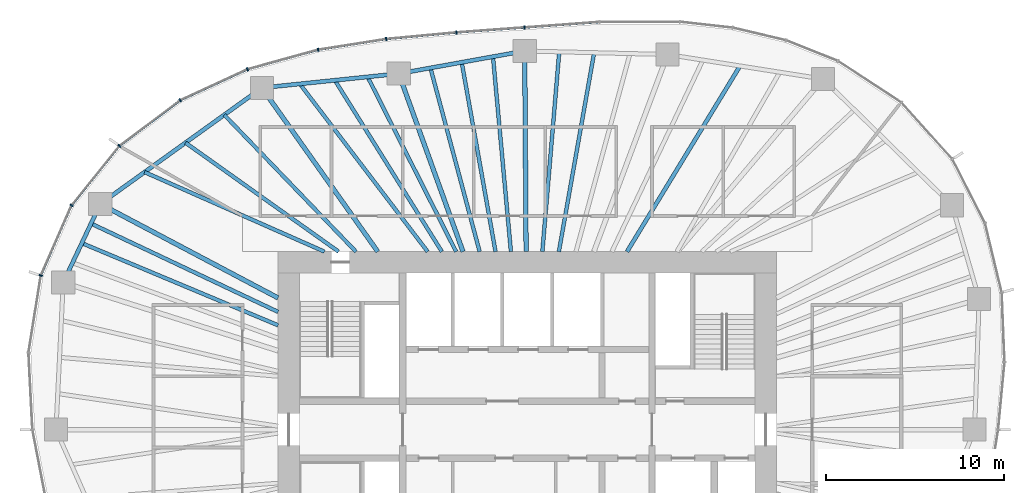
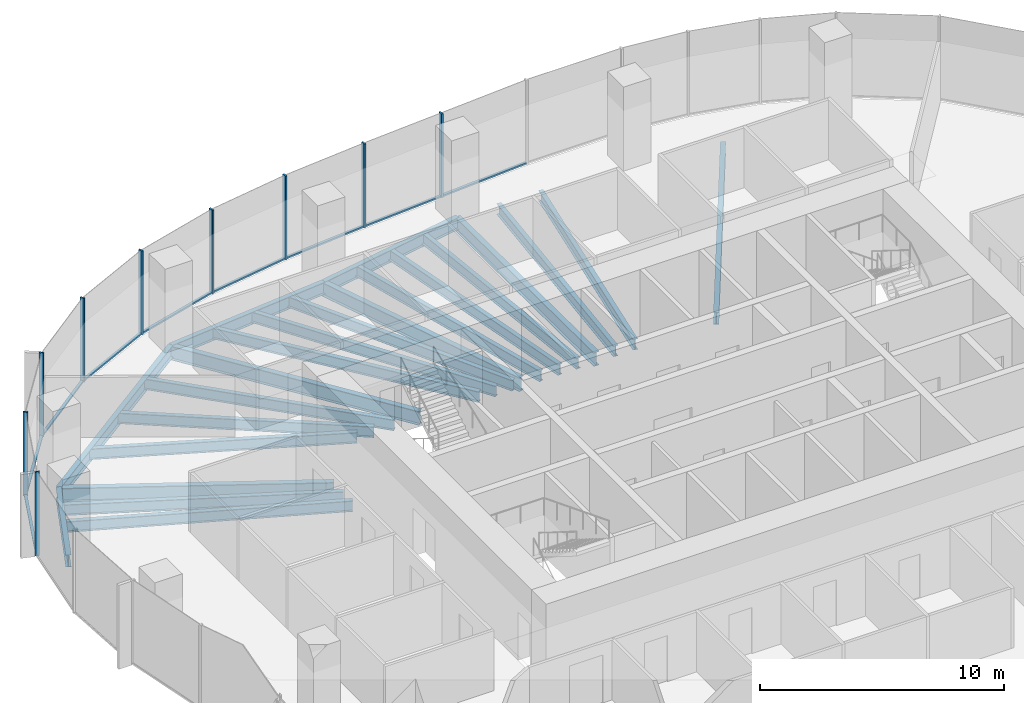
# One storey, part 5 of 12: 22 beams, 18 members, 6 elements without a shape of their own.
"""IFC4 building model written with IfcOpenShell, lengths in metres."""

from ifc_helpers import new_model, si_unit, direction, frame, origin, origin_2d, place, context, subcontext, project, spatial, rectangle, i_section, extrude, material, material_profile, profile_set, type_object, element, aggregate, save


model = new_model("IFC4")

# Units and contexts
model_context = context("Model", 3, precision=1e-05, world=origin(), true_north=direction((0.0, 1.0)))
body_context = subcontext(model_context, "Body", "Model", "MODEL_VIEW")
ifc_project = project(units=[si_unit("LENGTHUNIT", "METRE"), si_unit("AREAUNIT", "SQUARE_METRE"), si_unit("VOLUMEUNIT", "CUBIC_METRE"), si_unit("PLANEANGLEUNIT", "RADIAN"), si_unit("MASSUNIT", "GRAM", prefix="KILO")], contexts=[model_context])

# Site, building, storey
site_placement = place(None, origin())
site = spatial("IfcSite", under=ifc_project, at=site_placement, CompositionType="ELEMENT")
building_placement = place(site_placement, origin())
building = spatial("IfcBuilding", under=site, at=building_placement, Name="Ghaith Harvest Tower", CompositionType="ELEMENT")
storey_placement = place(building_placement, frame((0.0, 0.0, 203.199951171875)))
storey = spatial("IfcBuildingStorey", under=building, at=storey_placement, Name="L44", CompositionType="ELEMENT", Elevation=203.199951171875)

# Curtain wall, members
ifc_material_1 = material(Name="Black anodised aluminium and fritted glass", Category="aluminium")
curtain_wall_type = type_object("IfcCurtainWallType", Name="CW-H CURTAIN WALL", PredefinedType="NOTDEFINED", material=ifc_material_1)
curtain_wall_1_placement = place(storey_placement, origin())
curtain_wall_1 = element("IfcCurtainWall", 1, at=curtain_wall_1_placement, inside=storey, type_object=curtain_wall_type, Name="Curtain wall CW-H bay 06 L44", PredefinedType="NOTDEFINED")
ifc_material_2 = material(Name="Aluminium, black anodised", Category="aluminium")
ifc_material_profile_1 = material_profile(ifc_material_2, rectangle(XDim=0.080078125, YDim=0.199951171875, at=origin_2d()), Name="CW-H MULLION 80x200")
ifc_profile_set_1 = profile_set([ifc_material_profile_1], Name="Aluminium, black anodised")
member_type_1 = type_object("IfcMemberType", Name="CW-H MULLION 80x200", PredefinedType="MULLION", material=ifc_profile_set_1)
member_1_placement = place(storey_placement, frame((-0.154541015625, 22.590576171875, 0.0), z_axis=(0.0, 0.0, 1.0), x_axis=(-0.997329249665, -0.073036756239, 0.0)))
member_1 = element("IfcMember", 2, at=member_1_placement, type_object=member_type_1, Name="CW-H mullion 1 bay 06 L44", PredefinedType="MULLION", context=body_context, shape_type="SweptSolid", body=[
    extrude(rectangle(XDim=0.080078125, YDim=0.199951171875, at=origin_2d()), origin(), (0.0, 0.0, 1.0), 4.199951171875),
])
member_2_placement = place(storey_placement, frame((-3.984375, 22.310302734375, 0.0), z_axis=(0.0, 0.0, 1.0), x_axis=(-0.996522526822, -0.083323787336, 0.0)))
member_2 = element("IfcMember", 3, at=member_2_placement, type_object=member_type_1, Name="CW-H mullion 2 bay 06 L44", PredefinedType="MULLION", context=body_context, shape_type="SweptSolid", body=[
    extrude(rectangle(XDim=0.080078125, YDim=0.199951171875, at=origin_2d()), origin(), (0.0, 0.0, 1.0), 4.199951171875),
])

curtain_wall_2_placement = place(storey_placement, origin())
curtain_wall_2 = element("IfcCurtainWall", 4, at=curtain_wall_2_placement, inside=storey, type_object=curtain_wall_type, Name="Curtain wall CW-H bay 07 L44", PredefinedType="NOTDEFINED")
member_3_placement = place(storey_placement, frame((-7.924560546875, 21.94091796875, 0.0), z_axis=(0.0, 0.0, 1.0), x_axis=(-0.992235485325, -0.124373396119, 0.0)))
member_3 = element("IfcMember", 5, at=member_3_placement, type_object=member_type_1, Name="CW-H mullion 1 bay 07 L44", PredefinedType="MULLION", context=body_context, shape_type="SweptSolid", body=[
    extrude(rectangle(XDim=0.080078125, YDim=0.199951171875, at=origin_2d()), origin(), (0.0, 0.0, 1.0), 4.199951171875),
])
member_4_placement = place(storey_placement, frame((-11.75244140625, 21.336669921875, 0.0), z_axis=(0.0, 0.0, 1.0), x_axis=(-0.977086484172, -0.212842670646, 0.0)))
member_4 = element("IfcMember", 6, at=member_4_placement, type_object=member_type_1, Name="CW-H mullion 2 bay 07 L44", PredefinedType="MULLION", context=body_context, shape_type="SweptSolid", body=[
    extrude(rectangle(XDim=0.080078125, YDim=0.199951171875, at=origin_2d()), origin(), (0.0, 0.0, 1.0), 4.199951171875),
])

curtain_wall_3_placement = place(storey_placement, origin())
curtain_wall_3 = element("IfcCurtainWall", 7, at=curtain_wall_3_placement, inside=storey, type_object=curtain_wall_type, Name="Curtain wall CW-H bay 08 L44", PredefinedType="NOTDEFINED")
member_5_placement = place(storey_placement, frame((-15.720947265625, 20.242431640625, 0.0), z_axis=(0.0, 0.0, 1.0), x_axis=(-0.938930986476, -0.344105510906, 0.0)))
member_5 = element("IfcMember", 8, at=member_5_placement, type_object=member_type_1, Name="CW-H mullion 1 bay 08 L44", PredefinedType="MULLION", context=body_context, shape_type="SweptSolid", body=[
    extrude(rectangle(XDim=0.080078125, YDim=0.199951171875, at=origin_2d()), origin(), (0.0, 0.0, 1.0), 4.199951171875),
])
member_6_placement = place(storey_placement, frame((-19.4951171875, 18.4990234375, 0.0), z_axis=(0.0, 0.0, 1.0), x_axis=(-0.857998754004, -0.513651767376, 0.0)))
member_6 = element("IfcMember", 9, at=member_6_placement, type_object=member_type_1, Name="CW-H mullion 2 bay 08 L44", PredefinedType="MULLION", context=body_context, shape_type="SweptSolid", body=[
    extrude(rectangle(XDim=0.080078125, YDim=0.199951171875, at=origin_2d()), origin(), (0.0, 0.0, 1.0), 4.199951171875),
])

curtain_wall_4_placement = place(storey_placement, origin())
curtain_wall_4 = element("IfcCurtainWall", 10, at=curtain_wall_4_placement, inside=storey, type_object=curtain_wall_type, Name="Curtain wall CW-H bay 09 L44", PredefinedType="NOTDEFINED")
member_7_placement = place(storey_placement, frame((-22.908203125, 15.939697265625, 0.0), z_axis=(0.0, 0.0, 1.0), x_axis=(-0.719146135082, -0.694858860774, 0.0)))
member_7 = element("IfcMember", 11, at=member_7_placement, type_object=member_type_1, Name="CW-H mullion 1 bay 09 L44", PredefinedType="MULLION", context=body_context, shape_type="SweptSolid", body=[
    extrude(rectangle(XDim=0.080078125, YDim=0.199951171875, at=origin_2d()), origin(), (0.0, 0.0, 1.0), 4.199951171875),
])
member_8_placement = place(storey_placement, frame((-25.599609375, 12.6005859375, 0.0), z_axis=(0.0, 0.0, 1.0), x_axis=(-0.518769201232, -0.854914332464, 0.0)))
member_8 = element("IfcMember", 12, at=member_8_placement, type_object=member_type_1, Name="CW-H mullion 2 bay 09 L44", PredefinedType="MULLION", context=body_context, shape_type="SweptSolid", body=[
    extrude(rectangle(XDim=0.080078125, YDim=0.199951171875, at=origin_2d()), origin(), (0.0, 0.0, 1.0), 4.199951171875),
])

# Curtain wall, member
curtain_wall_5_placement = place(storey_placement, origin())
curtain_wall_5 = element("IfcCurtainWall", 13, at=curtain_wall_5_placement, inside=storey, type_object=curtain_wall_type, Name="Curtain wall CW-H bay 10 L44", PredefinedType="NOTDEFINED")
member_9_placement = place(storey_placement, frame((-27.32568359375, 8.659912109375, 0.0), z_axis=(0.0, 0.0, 1.0), x_axis=(-0.280520268431, -0.959848102045, 0.0)))
member_9 = element("IfcMember", 14, at=member_9_placement, type_object=member_type_1, Name="CW-H mullion 1 bay 10 L44", PredefinedType="MULLION", context=body_context, shape_type="SweptSolid", body=[
    extrude(rectangle(XDim=0.080078125, YDim=0.199951171875, at=origin_2d()), origin(), (0.0, 0.0, 1.0), 4.199951171875),
])
aggregate(curtain_wall_5, [member_9])

curtain_wall_6_placement = place(storey_placement, origin())
curtain_wall_6 = element("IfcCurtainWall", 15, at=curtain_wall_6_placement, inside=storey, type_object=curtain_wall_type, Name="Curtain wall CW-H bay 05 L44", PredefinedType="NOTDEFINED")
ifc_material_3 = material(Name="Aluminium, black anodised", Category="aluminium")
ifc_material_profile_2 = material_profile(ifc_material_3, rectangle(XDim=0.1298828125, YDim=0.080078125, at=origin_2d()), Name="CW-H TRANSOM 130x80")
ifc_profile_set_2 = profile_set([ifc_material_profile_2], Name="Aluminium, black anodised")
member_type_2 = type_object("IfcMemberType", Name="CW-H TRANSOM 130x80", PredefinedType="USERDEFINED", material=ifc_profile_set_2)
member_10_placement = place(storey_placement, frame((4.01953125, 22.896484375, 0.0400390625), z_axis=(-0.997325457985, -0.07308851384, 0.0), x_axis=(0.07308851384, -0.997325457985, 0.0)))
member_10 = element("IfcMember", 16, at=member_10_placement, type_object=member_type_2, Name="CW-H transom 2 bay 05 L44", ObjectType="TRANSOM", PredefinedType="USERDEFINED", context=body_context, shape_type="SweptSolid", body=[
    extrude(rectangle(XDim=0.1298828125, YDim=0.080078125, at=origin_2d()), origin(), (0.0, 0.0, 1.0), 4.145263671875),
])
aggregate(curtain_wall_6, [member_10])

# Member
member_11_placement = place(storey_placement, frame((-0.194580078125, 22.587646484375, 0.0400390625), z_axis=(-0.997332916649, -0.072986665689, 0.0), x_axis=(0.072986665689, -0.997332916649, 0.0)))
member_11 = element("IfcMember", 17, at=member_11_placement, type_object=member_type_2, Name="CW-H transom 1 bay 06 L44", ObjectType="TRANSOM", PredefinedType="USERDEFINED", context=body_context, shape_type="SweptSolid", body=[
    extrude(rectangle(XDim=0.1298828125, YDim=0.080078125, at=origin_2d()), origin(), (0.0, 0.0, 1.0), 3.759765625),
])

member_12_placement = place(storey_placement, frame((-4.024169921875, 22.306640625, 0.0400390625), z_axis=(-0.995631116984, -0.093373866217, 0.0), x_axis=(0.093373866217, -0.995631116984, 0.0)))
member_12 = element("IfcMember", 18, at=member_12_placement, type_object=member_type_2, Name="CW-H transom 2 bay 06 L44", ObjectType="TRANSOM", PredefinedType="USERDEFINED", context=body_context, shape_type="SweptSolid", body=[
    extrude(rectangle(XDim=0.1298828125, YDim=0.080078125, at=origin_2d()), origin(), (0.0, 0.0, 1.0), 3.87744140625),
])

aggregate(curtain_wall_1, [member_1, member_11, member_2, member_12])

member_13_placement = place(storey_placement, frame((-7.964111328125, 21.9345703125, 0.0400390625), z_axis=(-0.98776765914, -0.155932843097, 0.0), x_axis=(0.155932843097, -0.98776765914, 0.0)))
member_13 = element("IfcMember", 19, at=member_13_placement, type_object=member_type_2, Name="CW-H transom 1 bay 07 L44", ObjectType="TRANSOM", PredefinedType="USERDEFINED", context=body_context, shape_type="SweptSolid", body=[
    extrude(rectangle(XDim=0.1298828125, YDim=0.080078125, at=origin_2d()), origin(), (0.0, 0.0, 1.0), 3.795166015625),
])

member_14_placement = place(storey_placement, frame((-11.791015625, 21.325927734375, 0.0400390625), z_axis=(-0.964038584245, -0.265762315024, 0.0), x_axis=(0.265762315024, -0.964038584245, 0.0)))
member_14 = element("IfcMember", 20, at=member_14_placement, type_object=member_type_2, Name="CW-H transom 2 bay 07 L44", ObjectType="TRANSOM", PredefinedType="USERDEFINED", context=body_context, shape_type="SweptSolid", body=[
    extrude(rectangle(XDim=0.1298828125, YDim=0.080078125, at=origin_2d()), origin(), (0.0, 0.0, 1.0), 4.03662109375),
])

aggregate(curtain_wall_2, [member_3, member_13, member_4, member_14])

member_15_placement = place(storey_placement, frame((-15.75732421875, 20.2255859375, 0.0400390625), z_axis=(-0.907831404762, -0.419335355686, 0.0), x_axis=(0.419335355686, -0.907831404762, 0.0)))
member_15 = element("IfcMember", 21, at=member_15_placement, type_object=member_type_2, Name="CW-H transom 1 bay 08 L44", ObjectType="TRANSOM", PredefinedType="USERDEFINED", context=body_context, shape_type="SweptSolid", body=[
    extrude(rectangle(XDim=0.1298828125, YDim=0.080078125, at=origin_2d()), origin(), (0.0, 0.0, 1.0), 4.0771484375),
])

member_16_placement = place(storey_placement, frame((-19.527099609375, 18.47509765625, 0.0400390625), z_axis=(-0.800041988873, -0.599944010755, 0.0), x_axis=(0.599944010755, -0.800041988873, 0.0)))
member_16 = element("IfcMember", 22, at=member_16_placement, type_object=member_type_2, Name="CW-H transom 2 bay 08 L44", ObjectType="TRANSOM", PredefinedType="USERDEFINED", context=body_context, shape_type="SweptSolid", body=[
    extrude(rectangle(XDim=0.1298828125, YDim=0.080078125, at=origin_2d()), origin(), (0.0, 0.0, 1.0), 4.186279296875),
])

aggregate(curtain_wall_3, [member_5, member_15, member_6, member_16])

member_17_placement = place(storey_placement, frame((-22.933349609375, 15.90869140625, 0.0400390625), z_axis=(-0.6275347306, -0.778588570357, 0.0), x_axis=(0.778588570357, -0.6275347306, 0.0)))
member_17 = element("IfcMember", 23, at=member_17_placement, type_object=member_type_2, Name="CW-H transom 1 bay 09 L44", ObjectType="TRANSOM", PredefinedType="USERDEFINED", context=body_context, shape_type="SweptSolid", body=[
    extrude(rectangle(XDim=0.1298828125, YDim=0.080078125, at=origin_2d()), origin(), (0.0, 0.0, 1.0), 4.208740234375),
])

member_18_placement = place(storey_placement, frame((-25.61572265625, 12.56396484375, 0.0400390625), z_axis=(-0.401185844746, -0.915996680112, 0.0), x_axis=(0.915996680112, -0.401185844746, 0.0)))
member_18 = element("IfcMember", 24, at=member_18_placement, type_object=member_type_2, Name="CW-H transom 2 bay 09 L44", ObjectType="TRANSOM", PredefinedType="USERDEFINED", context=body_context, shape_type="SweptSolid", body=[
    extrude(rectangle(XDim=0.1298828125, YDim=0.080078125, at=origin_2d()), origin(), (0.0, 0.0, 1.0), 4.22216796875),
])

aggregate(curtain_wall_4, [member_7, member_17, member_8, member_18])

# Beams
ifc_material_4 = material(Name="Steel ASTM A992 Grade 50", Category="steel")
ifc_material_profile_3 = material_profile(ifc_material_4, i_section(OverallWidth=0.22900390625, OverallDepth=0.612060546875, WebThickness=0.011962890625, FlangeThickness=0.01953125, at=origin_2d()), Name="W610X125")
ifc_profile_set_3 = profile_set([ifc_material_profile_3], Name="Steel ASTM A992 Grade 50")
beam_type_1 = type_object("IfcBeamType", Name="E610-125 W610X125", PredefinedType="SPANDREL", material=ifc_profile_set_3)
beam_1_placement = place(storey_placement, frame((-0.14599609375, 21.27099609375, -0.475830078125), z_axis=(-0.984177047684, -0.177187863051, 0.0), x_axis=(0.177187863051, -0.984177047684, 0.0)))
element("IfcBeam", 25, at=beam_1_placement, inside=storey, type_object=beam_type_1, Name="Edge beam E06 L44", PredefinedType="SPANDREL", context=body_context, shape_type="SweptSolid", body=[
    extrude(i_section(OverallWidth=0.22900390625, OverallDepth=0.612060546875, WebThickness=0.011962890625, FlangeThickness=0.01953125, at=origin_2d()), origin(), (0.0, 0.0, 1.0), 7.189697265625),
])
beam_2_placement = place(storey_placement, frame((-7.221923828125, 19.9970703125, -0.475830078125), z_axis=(-0.994669141618, -0.103117887451, 0.0), x_axis=(0.103117887451, -0.994669141618, 0.0)))
element("IfcBeam", 26, at=beam_2_placement, inside=storey, type_object=beam_type_1, Name="Edge beam E07 L44", PredefinedType="SPANDREL", context=body_context, shape_type="SweptSolid", body=[
    extrude(i_section(OverallWidth=0.22900390625, OverallDepth=0.612060546875, WebThickness=0.011962890625, FlangeThickness=0.01953125, at=origin_2d()), origin(), (0.0, 0.0, 1.0), 7.730224609375),
])
beam_3_placement = place(storey_placement, frame((-14.910888671875, 19.199951171875, -0.475830078125), z_axis=(-0.812050311838, -0.583587432219, 0.0), x_axis=(0.583587432219, -0.812050311838, 0.0)))
element("IfcBeam", 27, at=beam_3_placement, inside=storey, type_object=beam_type_1, Name="Edge beam E08 L44", PredefinedType="SPANDREL", context=body_context, shape_type="SweptSolid", body=[
    extrude(i_section(OverallWidth=0.22900390625, OverallDepth=0.612060546875, WebThickness=0.011962890625, FlangeThickness=0.01953125, at=origin_2d()), origin(), (0.0, 0.0, 1.0), 11.175537109375),
])
beam_4_placement = place(storey_placement, frame((-23.986083984375, 12.677978515625, -0.475830078125), z_axis=(-0.426170247297, -0.904642979478, 0.0), x_axis=(0.904642979478, -0.426170247297, 0.0)))
element("IfcBeam", 28, at=beam_4_placement, inside=storey, type_object=beam_type_1, Name="Edge beam E09 L44", PredefinedType="SPANDREL", context=body_context, shape_type="SweptSolid", body=[
    extrude(i_section(OverallWidth=0.22900390625, OverallDepth=0.612060546875, WebThickness=0.011962890625, FlangeThickness=0.01953125, at=origin_2d()), origin(), (0.0, 0.0, 1.0), 4.882568359375),
])
ifc_material_5 = material(Name="Steel ASTM A992 Grade 50", Category="steel")
ifc_material_profile_4 = material_profile(ifc_material_5, i_section(OverallWidth=0.256103515625, OverallDepth=0.693115234375, WebThickness=0.014404296875, FlangeThickness=0.023681640625, at=origin_2d()), Name="W690X170")
ifc_profile_set_4 = profile_set([ifc_material_profile_4], Name="Steel ASTM A992 Grade 50")
beam_type_2 = type_object("IfcBeamType", Name="G690-170 W690X170", PredefinedType="BEAM", material=ifc_profile_set_4)
beam_5_placement = place(storey_placement, frame((-0.068359375, 10.0, -0.516357421875), z_axis=(-0.006888022705, 0.99997627729, 0.0), x_axis=(-0.99997627729, -0.006888022705, 0.0)))
element("IfcBeam", 29, at=beam_5_placement, inside=storey, type_object=beam_type_2, Name="Radial girder G06 L44", PredefinedType="BEAM", context=body_context, shape_type="SweptSolid", body=[
    extrude(i_section(OverallWidth=0.256103515625, OverallDepth=0.693115234375, WebThickness=0.014404296875, FlangeThickness=0.023681640625, at=origin_2d()), origin(), (0.0, 0.0, 1.0), 11.271240234375),
])
beam_6_placement = place(storey_placement, frame((-3.61181640625, 10.0, -0.516357421875), z_axis=(-0.339648979266, 0.940552269086, 0.0), x_axis=(-0.940552269086, -0.339648979266, 0.0)))
element("IfcBeam", 30, at=beam_6_placement, inside=storey, type_object=beam_type_2, Name="Radial girder G07 L44", PredefinedType="BEAM", context=body_context, shape_type="SweptSolid", body=[
    extrude(i_section(OverallWidth=0.256103515625, OverallDepth=0.693115234375, WebThickness=0.014404296875, FlangeThickness=0.023681640625, at=origin_2d()), origin(), (0.0, 0.0, 1.0), 10.62890625),
])
beam_7_placement = place(storey_placement, frame((-8.39990234375, 10.0, -0.516357421875), z_axis=(-0.577683734365, 0.816260683268, 0.0), x_axis=(-0.816260683268, -0.577683734365, 0.0)))
element("IfcBeam", 31, at=beam_7_placement, inside=storey, type_object=beam_type_2, Name="Radial girder G08 L44", PredefinedType="BEAM", context=body_context, shape_type="SweptSolid", body=[
    extrude(i_section(OverallWidth=0.256103515625, OverallDepth=0.693115234375, WebThickness=0.014404296875, FlangeThickness=0.023681640625, at=origin_2d()), origin(), (0.0, 0.0, 1.0), 11.270751953125),
])
beam_8_placement = place(storey_placement, frame((-14.0, 7.39990234375, -0.516357421875), z_axis=(-0.884105273337, 0.467287776062, 0.0), x_axis=(-0.467287776062, -0.884105273337, 0.0)))
element("IfcBeam", 32, at=beam_8_placement, inside=storey, type_object=beam_type_2, Name="Radial girder G09 L44", PredefinedType="BEAM", context=body_context, shape_type="SweptSolid", body=[
    extrude(i_section(OverallWidth=0.256103515625, OverallDepth=0.693115234375, WebThickness=0.014404296875, FlangeThickness=0.023681640625, at=origin_2d()), origin(), (0.0, 0.0, 1.0), 11.295166015625),
])
ifc_material_6 = material(Name="Steel ASTM A992 Grade 50", Category="steel")
ifc_material_profile_5 = material_profile(ifc_material_6, i_section(OverallWidth=0.2109375, OverallDepth=0.5390625, WebThickness=0.01171875, FlangeThickness=0.018798828125, at=origin_2d()), Name="W530X109")
ifc_profile_set_5 = profile_set([ifc_material_profile_5], Name="Steel ASTM A992 Grade 50")
beam_type_3 = type_object("IfcBeamType", Name="J530-109 W530X109", PredefinedType="JOIST", material=ifc_profile_set_5)
beam_9_placement = place(storey_placement, frame((1.772705078125, 10.0, -0.439453125), z_axis=(0.17455599258, 0.984647249249, 0.0), x_axis=(-0.984647249249, 0.17455599258, 0.0)))
element("IfcBeam", 33, at=beam_9_placement, inside=storey, type_object=beam_type_3, Name="Joist J05.2 L44", PredefinedType="JOIST", context=body_context, shape_type="SweptSolid", body=[
    extrude(i_section(OverallWidth=0.2109375, OverallDepth=0.5390625, WebThickness=0.01171875, FlangeThickness=0.018798828125, at=origin_2d()), origin(), (0.0, 0.0, 1.0), 11.3486328125),
])
beam_10_placement = place(storey_placement, frame((0.844970703125, 10.0, -0.439453125), z_axis=(0.084213263804, 0.996447753873, 0.0), x_axis=(-0.996447753873, 0.084213263804, 0.0)))
element("IfcBeam", 34, at=beam_10_placement, inside=storey, type_object=beam_type_3, Name="Joist J05.3 L44", PredefinedType="JOIST", context=body_context, shape_type="SweptSolid", body=[
    extrude(i_section(OverallWidth=0.2109375, OverallDepth=0.5390625, WebThickness=0.01171875, FlangeThickness=0.018798828125, at=origin_2d()), origin(), (0.0, 0.0, 1.0), 11.262939453125),
])
beam_11_placement = place(storey_placement, frame((-0.92041015625, 10.0, -0.439453125), z_axis=(-0.091648687045, 0.995791402937, 0.0), x_axis=(-0.995791402937, -0.091648687045, 0.0)))
element("IfcBeam", 35, at=beam_11_placement, inside=storey, type_object=beam_type_3, Name="Joist J06.1 L44", PredefinedType="JOIST", context=body_context, shape_type="SweptSolid", body=[
    extrude(i_section(OverallWidth=0.2109375, OverallDepth=0.5390625, WebThickness=0.01171875, FlangeThickness=0.018798828125, at=origin_2d()), origin(), (0.0, 0.0, 1.0), 10.99658203125),
])
beam_12_placement = place(storey_placement, frame((-1.785888671875, 10.0, -0.439453125), z_axis=(-0.175793767479, 0.984427016754, 0.0), x_axis=(-0.984427016754, -0.175793767479, 0.0)))
element("IfcBeam", 36, at=beam_12_placement, inside=storey, type_object=beam_type_3, Name="Joist J06.2 L44", PredefinedType="JOIST", context=body_context, shape_type="SweptSolid", body=[
    extrude(i_section(OverallWidth=0.2109375, OverallDepth=0.5390625, WebThickness=0.01171875, FlangeThickness=0.018798828125, at=origin_2d()), origin(), (0.0, 0.0, 1.0), 10.802001953125),
])
beam_13_placement = place(storey_placement, frame((-2.677978515625, 10.0, -0.439453125), z_axis=(-0.258674007994, 0.965964677195, 0.0), x_axis=(-0.965964677195, -0.258674007994, 0.0)))
element("IfcBeam", 37, at=beam_13_placement, inside=storey, type_object=beam_type_3, Name="Joist J06.3 L44", PredefinedType="JOIST", context=body_context, shape_type="SweptSolid", body=[
    extrude(i_section(OverallWidth=0.2109375, OverallDepth=0.5390625, WebThickness=0.01171875, FlangeThickness=0.018798828125, at=origin_2d()), origin(), (0.0, 0.0, 1.0), 10.68115234375),
])
beam_14_placement = place(storey_placement, frame((-4.0, 10.0, -0.439453125), z_axis=(-0.451646219201, 0.892197115374, 0.0), x_axis=(-0.892197115374, -0.451646219201, 0.0)))
element("IfcBeam", 38, at=beam_14_placement, inside=storey, type_object=beam_type_3, Name="Joist J07.1 L44", PredefinedType="JOIST", context=body_context, shape_type="SweptSolid", body=[
    extrude(i_section(OverallWidth=0.2109375, OverallDepth=0.5390625, WebThickness=0.01171875, FlangeThickness=0.018798828125, at=origin_2d()), origin(), (0.0, 0.0, 1.0), 11.001953125),
])
beam_15_placement = place(storey_placement, frame((-4.800048828125, 10.0, -0.439453125), z_axis=(-0.529627564093, 0.848230300893, 0.0), x_axis=(-0.848230300893, -0.529627564093, 0.0)))
element("IfcBeam", 39, at=beam_15_placement, inside=storey, type_object=beam_type_3, Name="Joist J07.2 L44", PredefinedType="JOIST", context=body_context, shape_type="SweptSolid", body=[
    extrude(i_section(OverallWidth=0.2109375, OverallDepth=0.5390625, WebThickness=0.01171875, FlangeThickness=0.018798828125, at=origin_2d()), origin(), (0.0, 0.0, 1.0), 11.34716796875),
])
beam_16_placement = place(storey_placement, frame((-5.60009765625, 10.0, -0.439453125), z_axis=(-0.605976135502, 0.795482823952, 0.0), x_axis=(-0.795482823952, -0.605976135502, 0.0)))
element("IfcBeam", 40, at=beam_16_placement, inside=storey, type_object=beam_type_3, Name="Joist J07.3 L44", PredefinedType="JOIST", context=body_context, shape_type="SweptSolid", body=[
    extrude(i_section(OverallWidth=0.2109375, OverallDepth=0.5390625, WebThickness=0.01171875, FlangeThickness=0.018798828125, at=origin_2d()), origin(), (0.0, 0.0, 1.0), 11.84326171875),
])
beam_17_placement = place(storey_placement, frame((-9.626708984375, 10.0, -0.439453125), z_axis=(-0.69354049188, 0.720417647009, 0.0), x_axis=(-0.720417647009, -0.69354049188, 0.0)))
element("IfcBeam", 41, at=beam_17_placement, inside=storey, type_object=beam_type_3, Name="Joist J08.1 L44", PredefinedType="JOIST", context=body_context, shape_type="SweptSolid", body=[
    extrude(i_section(OverallWidth=0.2109375, OverallDepth=0.5390625, WebThickness=0.01171875, FlangeThickness=0.018798828125, at=origin_2d()), origin(), (0.0, 0.0, 1.0), 10.6640625),
])
beam_18_placement = place(storey_placement, frame((-10.60009765625, 10.0, -0.439453125), z_axis=(-0.814837070547, 0.579690045164, 0.0), x_axis=(-0.579690045164, -0.814837070547, 0.0)))
element("IfcBeam", 42, at=beam_18_placement, inside=storey, type_object=beam_type_3, Name="Joist J08.2 L44", PredefinedType="JOIST", context=body_context, shape_type="SweptSolid", body=[
    extrude(i_section(OverallWidth=0.2109375, OverallDepth=0.5390625, WebThickness=0.01171875, FlangeThickness=0.018798828125, at=origin_2d()), origin(), (0.0, 0.0, 1.0), 10.5537109375),
])
beam_19_placement = place(storey_placement, frame((-11.39990234375, 10.0, -0.439453125), z_axis=(-0.914561290029, 0.40444733499, 0.0), x_axis=(-0.40444733499, -0.914561290029, 0.0)))
element("IfcBeam", 43, at=beam_19_placement, inside=storey, type_object=beam_type_3, Name="Joist J08.3 L44", PredefinedType="JOIST", context=body_context, shape_type="SweptSolid", body=[
    extrude(i_section(OverallWidth=0.2109375, OverallDepth=0.5390625, WebThickness=0.01171875, FlangeThickness=0.018798828125, at=origin_2d()), origin(), (0.0, 0.0, 1.0), 11.041748046875),
])
beam_20_placement = place(storey_placement, frame((-14.0, 6.614990234375, -0.439453125), z_axis=(-0.904154184779, 0.427206285238, 0.0), x_axis=(-0.427206285238, -0.904154184779, 0.0)))
element("IfcBeam", 44, at=beam_20_placement, inside=storey, type_object=beam_type_3, Name="Joist J09.1 L44", PredefinedType="JOIST", context=body_context, shape_type="SweptSolid", body=[
    extrude(i_section(OverallWidth=0.2109375, OverallDepth=0.5390625, WebThickness=0.01171875, FlangeThickness=0.018798828125, at=origin_2d()), origin(), (0.0, 0.0, 1.0), 11.61767578125),
])
beam_21_placement = place(storey_placement, frame((-14.0, 5.862548828125, -0.439453125), z_axis=(-0.922380898158, 0.386281605455, 0.0), x_axis=(-0.386281605455, -0.922380898158, 0.0)))
element("IfcBeam", 45, at=beam_21_placement, inside=storey, type_object=beam_type_3, Name="Joist J09.2 L44", PredefinedType="JOIST", context=body_context, shape_type="SweptSolid", body=[
    extrude(i_section(OverallWidth=0.2109375, OverallDepth=0.5390625, WebThickness=0.01171875, FlangeThickness=0.018798828125, at=origin_2d()), origin(), (0.0, 0.0, 1.0), 11.94970703125),
])
ifc_material_7 = material(Name="Steel ASTM A992 Grade 50", Category="steel")
ifc_material_profile_6 = material_profile(ifc_material_7, i_section(OverallWidth=0.22900390625, OverallDepth=0.612060546875, WebThickness=0.011962890625, FlangeThickness=0.01953125, at=origin_2d()), Name="W610X125")
ifc_profile_set_6 = profile_set([ifc_material_profile_6], Name="Steel ASTM A992 Grade 50")
beam_type_4 = type_object("IfcBeamType", Name="J610-125 W610X125", PredefinedType="JOIST", material=ifc_profile_set_6)
beam_22_placement = place(storey_placement, frame((5.60009765625, 10.0, -0.475830078125), z_axis=(0.519863845761, 0.854249133374, 0.0), x_axis=(-0.854249133374, 0.519863845761, 0.0)))
element("IfcBeam", 46, at=beam_22_placement, inside=storey, type_object=beam_type_4, Name="Joist J04.2 L44", PredefinedType="JOIST", context=body_context, shape_type="SweptSolid", body=[
    extrude(i_section(OverallWidth=0.22900390625, OverallDepth=0.612060546875, WebThickness=0.011962890625, FlangeThickness=0.01953125, at=origin_2d()), origin(), (0.0, 0.0, 1.0), 12.209716796875),
])

save(model, "model.ifc")
